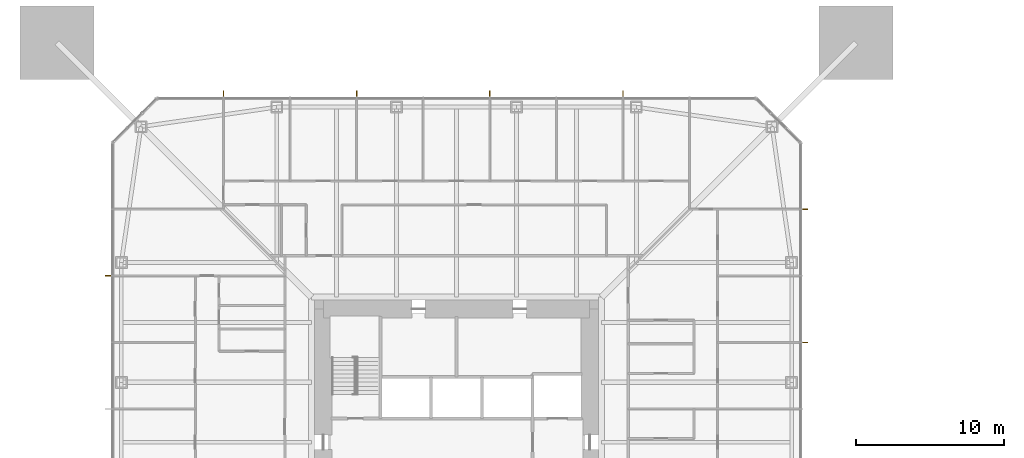
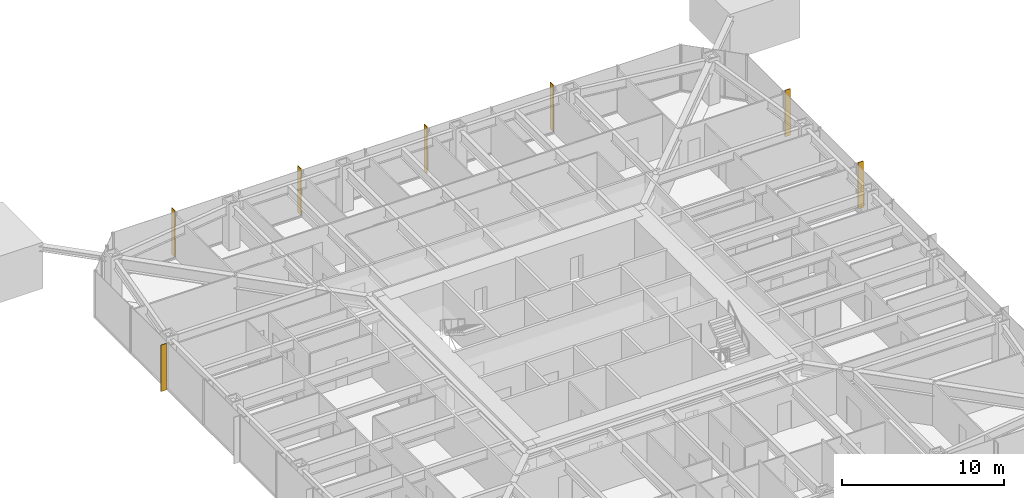
# One storey, part 25 of 26: 7 shading devices.
"""IFC4 building model written with IfcOpenShell, lengths in metres."""

from ifc_helpers import new_model, si_unit, direction, frame, origin, origin_2d, place, context, subcontext, project, spatial, rectangle, extrude, material, layer, layer_set, type_object, element, save


model = new_model("IFC4")

# Units and contexts
model_context = context("Model", 3, precision=1e-05, world=origin(), true_north=direction((0.0, 1.0)))
body_context = subcontext(model_context, "Body", "Model", "MODEL_VIEW")
ifc_project = project(units=[si_unit("LENGTHUNIT", "METRE"), si_unit("AREAUNIT", "SQUARE_METRE"), si_unit("VOLUMEUNIT", "CUBIC_METRE"), si_unit("PLANEANGLEUNIT", "RADIAN"), si_unit("MASSUNIT", "GRAM", prefix="KILO")], contexts=[model_context])

# Site, building, storey
site_placement = place(None, origin())
site = spatial("IfcSite", under=ifc_project, at=site_placement, CompositionType="ELEMENT")
building_placement = place(site_placement, origin())
building = spatial("IfcBuilding", under=site, at=building_placement, Name="Iwan Alto Co-Living Towers", CompositionType="ELEMENT")
storey_placement = place(building_placement, frame((0.0, 0.0, 36.0)))
storey = spatial("IfcBuildingStorey", under=building, at=storey_placement, Name="L09", CompositionType="ELEMENT", Elevation=36.0)

# Shading devices
ifc_material = material(Name="Aluminium 6063-T6 bronze anodised", Category="aluminium")
ifc_layer = layer(ifc_material, 0.050048828125)
ifc_layer_set = layer_set([ifc_layer], Name="BRONZE FIN 50X400")
shading_device_type = type_object("IfcShadingDeviceType", Name="BRONZE FIN 50X400", PredefinedType="USERDEFINED", material=ifc_layer_set)
for number, where, z_axis, x_axis, name in (
    (1, (23.550048828125, 6.75, 0.0), (0.0, 0.0, 1.0), (0.0, 1.0, 0.0), "Bronze fin L09"),
    (2, (23.550048828125, 15.75, 0.0), (0.0, 0.0, 1.0), (0.0, 1.0, 0.0), "Bronze fin L09"),
    (3, (11.25, 23.550048828125, 0.0), (0.0, 0.0, 1.0), (-1.0, 0.0, 0.0), "Bronze fin L09"),
    (4, (2.25, 23.550048828125, 0.0), (0.0, 0.0, 1.0), (-1.0, 0.0, 0.0), "Bronze fin L09"),
    (5, (-6.75, 23.550048828125, 0.0), (0.0, 0.0, 1.0), (-1.0, 0.0, 0.0), "Bronze fin L09"),
    (6, (-15.75, 23.550048828125, 0.0), (0.0, 0.0, 1.0), (-1.0, 0.0, 0.0), "Bronze fin L09"),
    (7, (-23.550048828125, 11.25, 0.0), (0.0, 0.0, 1.0), (0.0, -1.0, 0.0), "Bronze fin L09"),
):
    element("IfcShadingDevice", number, at=place(storey_placement, frame(where, z_axis=z_axis, x_axis=x_axis)), inside=storey, type_object=shading_device_type, Name=name, ObjectType="LOUVER", PredefinedType="USERDEFINED", context=body_context, shape_type="SweptSolid", body=[
        extrude(rectangle(XDim=0.050048828125, YDim=0.39990234375, at=origin_2d()), origin(), (0.0, 0.0, 1.0), 3.5),
    ])

save(model, "model.ifc")
